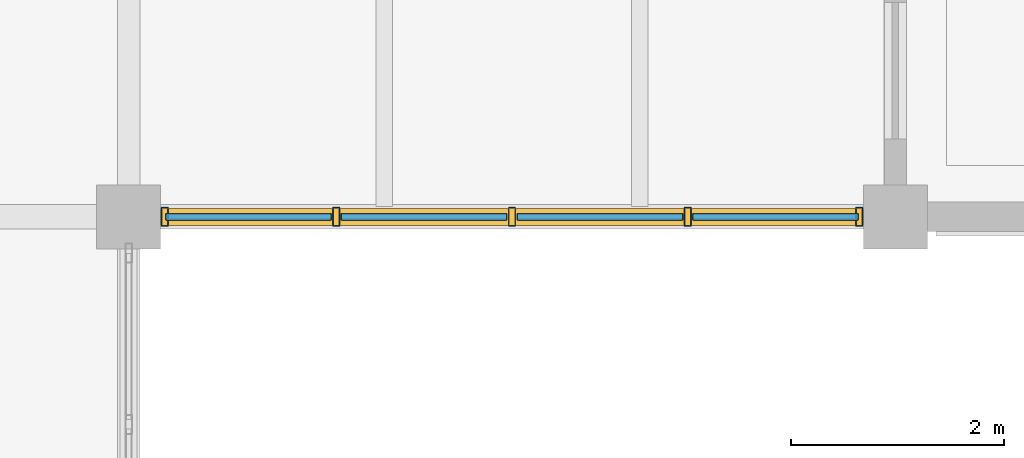
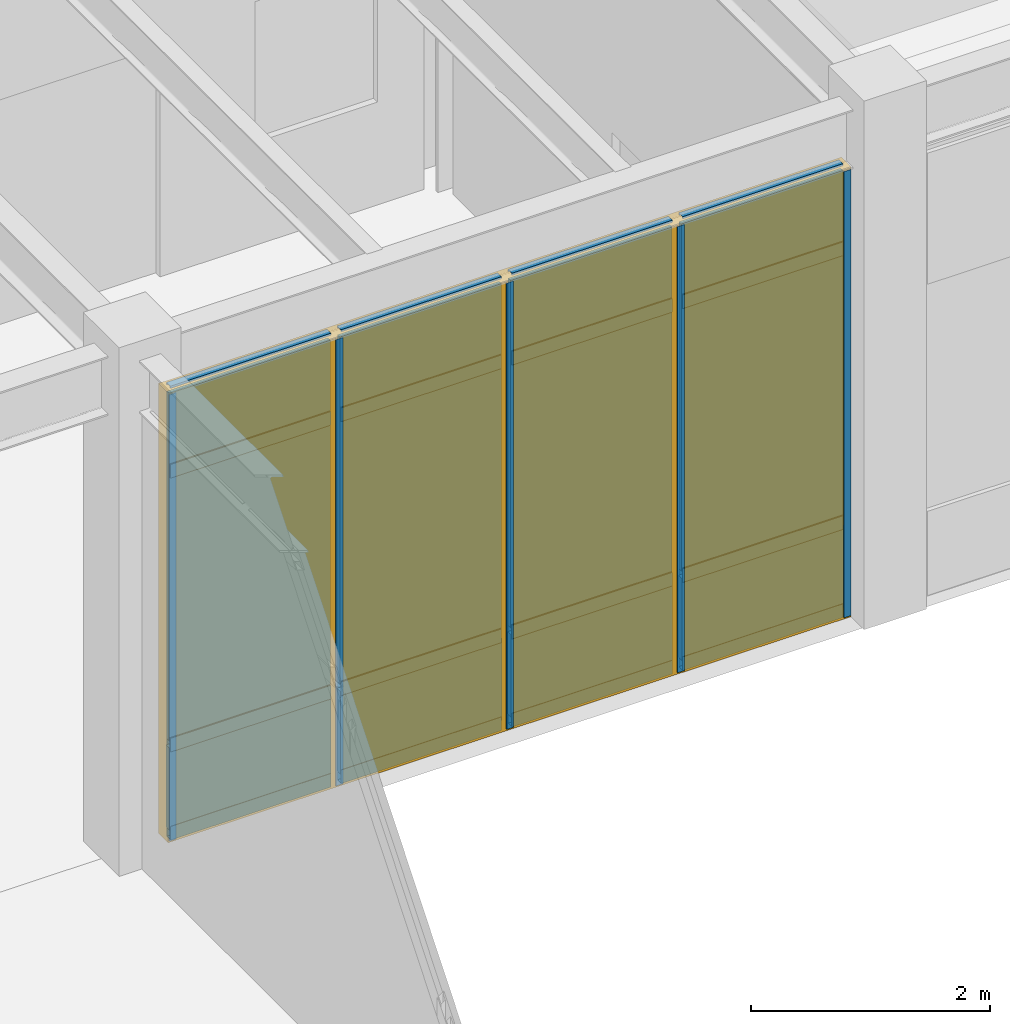
# One storey, part 65 of 97: 21 members, 8 plates, 1 curtain wall.
"""IFC4 building model written with IfcOpenShell, lengths in metres."""

import ifcopenshell
import ifcopenshell.guid

model = None  # the IFC model being written
_history = None  # IfcOwnerHistory: only IFC2X3 demands one
_inside = {}  # id of a spatial element -> (the spatial element, [elements in it])
_under = {}  # id of a project, library or spatial element -> (it, [spatial elements below it])
_declared = {}  # id of a project -> (the project, [libraries it declares])
_typed = {}  # id of a type object -> (the type object, [elements of that type])
_made_of = {}  # id of a material, layer set ... -> (it, [elements and type objects made of it])


def new_model(schema):
    """Start an empty IFC model of exactly this schema.

    Asked for "IFC4X3", IfcOpenShell would pick the latest addendum, in which some entities
    have other attributes; the version numbers below select the first issue.
    IFC2X3 requires an IfcOwnerHistory on every rooted entity: one is made here for all.
    """
    global model, _history
    if schema == "IFC4X3":
        model = ifcopenshell.file(schema_version=(4, 3, 0, 0))
    else:
        model = ifcopenshell.file(schema=schema)
    _inside.clear()
    _under.clear()
    _declared.clear()
    _typed.clear()
    _made_of.clear()
    _history = None
    if model.schema == "IFC2X3":
        org = make("IfcOrganization", Name="unknown")
        user = make(
            "IfcPersonAndOrganization",
            ThePerson=make("IfcPerson", FamilyName="unknown"),
            TheOrganization=org,
        )
        app = make(
            "IfcApplication",
            ApplicationDeveloper=org,
            Version="unknown",
            ApplicationFullName="unknown",
            ApplicationIdentifier="unknown",
        )
        _history = make(
            "IfcOwnerHistory",
            OwningUser=user,
            OwningApplication=app,
            ChangeAction="ADDED",
            CreationDate=0,
        )
    return model


def make(cls, **values):
    """One entity of the class cls with the attributes given. An attribute that is None is left unset."""
    return model.create_entity(
        cls, **{name: value for name, value in values.items() if value is not None}
    )


def rooted(cls, **values):
    """An entity with a GlobalId (a new one), such as an element, a storey or a relation."""
    return make(cls, GlobalId=ifcopenshell.guid.new(), OwnerHistory=_history, **values)


def si_unit(unit_type, name, prefix=None):
    """IfcSIUnit, for example si_unit("LENGTHUNIT", "METRE", prefix="MILLI")."""
    return make("IfcSIUnit", UnitType=unit_type, Prefix=prefix, Name=name)


def assignment(units):
    """IfcUnitAssignment: the units of a project."""
    return None if units is None else make("IfcUnitAssignment", Units=units)


def point(xyz):
    """IfcCartesianPoint."""
    return None if xyz is None else make("IfcCartesianPoint", Coordinates=xyz)


def direction(xyz):
    """IfcDirection."""
    return None if xyz is None else make("IfcDirection", DirectionRatios=xyz)


def frame(location, z_axis=None, x_axis=None):
    """IfcAxis2Placement3D, a coordinate frame: its origin and axes. An axis left out is left unset."""
    return make(
        "IfcAxis2Placement3D",
        Location=point(location),
        Axis=direction(z_axis),
        RefDirection=direction(x_axis),
    )


def frame_2d(location, x_axis=None):
    """IfcAxis2Placement2D, a coordinate frame in the plane: its origin and x axis."""
    return make(
        "IfcAxis2Placement2D", Location=point(location), RefDirection=direction(x_axis)
    )


def origin():
    """The frame at (0, 0, 0) with its axes left unset."""
    return frame((0.0, 0.0, 0.0))


def origin_2d():
    """The frame at (0, 0) in the plane with its x axis left unset."""
    return frame_2d((0.0, 0.0))


def place(relative_to, where):
    """IfcLocalPlacement: puts the frame where relative to a parent placement (None: the world)."""
    return make(
        "IfcLocalPlacement", PlacementRelTo=relative_to, RelativePlacement=where
    )


def context(
    kind, dimensions, precision=None, world=None, true_north=None, identifier=None
):
    """IfcGeometricRepresentationContext, for example the 3D "Model" context."""
    return make(
        "IfcGeometricRepresentationContext",
        ContextIdentifier=identifier,
        ContextType=kind,
        CoordinateSpaceDimension=dimensions,
        Precision=precision,
        WorldCoordinateSystem=world,
        TrueNorth=true_north,
    )


def subcontext(parent, identifier, kind, view, scale=None):
    """IfcGeometricRepresentationSubContext, for example "Body" below "Model"."""
    return make(
        "IfcGeometricRepresentationSubContext",
        ContextIdentifier=identifier,
        ContextType=kind,
        ParentContext=parent,
        TargetScale=scale,
        TargetView=view,
    )


def project(units=None, contexts=None):
    """IfcProject with its units and contexts."""
    return rooted(
        "IfcProject",
        Name="project",
        RepresentationContexts=contexts,
        UnitsInContext=assignment(units),
    )


def spatial(cls, under=None, at=None, **own):
    """A site, building, storey or space (cls), placed at a placement, below another one or the project."""
    s = rooted(cls, ObjectPlacement=at, **own)
    if under is not None:
        _under.setdefault(under.id(), (under, []))[1].append(s)
    return s


def profile(cls, at=None, kind="AREA", **sizes):
    """A parametric profile (cls). Its sizes go by their IFC names, for example OverallWidth=200.0."""
    return make(cls, ProfileType=kind, Position=at, **sizes)


def rectangle(**sizes):
    """IfcRectangleProfileDef."""
    return profile("IfcRectangleProfileDef", **sizes)


def hollow_rectangle(**sizes):
    """IfcRectangleHollowProfileDef."""
    return profile("IfcRectangleHollowProfileDef", **sizes)


def extrude(swept, where, along, depth):
    """IfcExtrudedAreaSolid: the profile swept, set in the frame where, extruded along a direction by depth."""
    return make(
        "IfcExtrudedAreaSolid",
        SweptArea=swept,
        Position=where,
        ExtrudedDirection=direction(along),
        Depth=depth,
    )


def shape(context_of_items, identifier, shape_type, items):
    """IfcShapeRepresentation: the items that make up one representation, for example the "Body"."""
    return make(
        "IfcShapeRepresentation",
        ContextOfItems=context_of_items,
        RepresentationIdentifier=identifier,
        RepresentationType=shape_type,
        Items=items,
    )


def material(Name=None, Category=None):
    """IfcMaterial."""
    return make("IfcMaterial", Name=Name, Category=Category)


def layer(
    of_material, thickness, ventilated=None, Name=None, Category=None, Priority=None
):
    """IfcMaterialLayer: one layer of a wall or slab, of a material (None: an air gap)."""
    return make(
        "IfcMaterialLayer",
        Material=of_material,
        LayerThickness=thickness,
        IsVentilated=ventilated,
        Name=Name,
        Category=Category,
        Priority=Priority,
    )


def layer_set(layers, Name=None):
    """IfcMaterialLayerSet."""
    return make("IfcMaterialLayerSet", MaterialLayers=layers, LayerSetName=Name)


def material_profile(
    of_material, cross_section, Name=None, Category=None, Priority=None
):
    """IfcMaterialProfile: a cross section and its material."""
    return make(
        "IfcMaterialProfile",
        Name=Name,
        Material=of_material,
        Profile=cross_section,
        Priority=Priority,
        Category=Category,
    )


def profile_set(profiles, Name=None, composite=None):
    """IfcMaterialProfileSet."""
    return make(
        "IfcMaterialProfileSet",
        Name=Name,
        MaterialProfiles=profiles,
        CompositeProfile=composite,
    )


def made_of(thing, what):
    """Note that an element or type object is made of a material, layer set ...; save() writes the relation."""
    if what is not None:
        _made_of.setdefault(what.id(), (what, []))[1].append(thing)
    return thing


def type_object(cls, material=None, **own):
    """A type object (cls), such as IfcWallType, which elements share."""
    return made_of(rooted(cls, **own), material)


def element(
    cls,
    number,
    at=None,
    inside=None,
    cuts=None,
    type_object=None,
    material=None,
    context=None,
    identifier="Body",
    shape_type=None,
    held_by="IfcProductDefinitionShape",
    body=None,
    shapes=None,
    **own,
):
    """One element of the class cls, such as IfcWall. Its Tag is "e" and its number.

    at: its placement. inside: the storey or other place that contains it. cuts: it is an
    opening in that element (IfcRelVoidsElement). A single representation is given by context,
    identifier, shape_type and body (its items); several are given by shapes. held_by: the class
    of the entity that holds the representations. save() writes the other relations.
    """
    e = rooted(cls, Tag="e%d" % number, ObjectPlacement=at, **own)
    if body is not None:
        shapes = [shape(context, identifier, shape_type, body)]
    if shapes is not None:
        e.Representation = make(held_by, Representations=shapes)
    if inside is not None:
        _inside.setdefault(inside.id(), (inside, []))[1].append(e)
    if cuts is not None:
        rooted(
            "IfcRelVoidsElement", RelatingBuildingElement=cuts, RelatedOpeningElement=e
        )
    if type_object is not None:
        _typed.setdefault(type_object.id(), (type_object, []))[1].append(e)
    return made_of(e, material)


def aggregate(whole, parts):
    """IfcRelAggregates: a whole, such as a stair, and the parts it consists of."""
    return rooted("IfcRelAggregates", RelatingObject=whole, RelatedObjects=parts)


def save(model, path):
    """Write the relations noted so far, then the file.

    IfcRelAggregates (storeys below a building ...), IfcRelContainedInSpatialStructure (elements
    in a storey), IfcRelDefinesByType, IfcRelAssociatesMaterial and IfcRelDeclares: one each for
    every whole, place, type object, material and project.
    """
    for whole, parts in _under.values():
        aggregate(whole, parts)
    for where, things in _inside.values():
        rooted(
            "IfcRelContainedInSpatialStructure",
            RelatedElements=things,
            RelatingStructure=where,
        )
    for kind, things in _typed.values():
        rooted("IfcRelDefinesByType", RelatedObjects=things, RelatingType=kind)
    for what, things in _made_of.values():
        rooted("IfcRelAssociatesMaterial", RelatedObjects=things, RelatingMaterial=what)
    for by, libraries in _declared.values():
        rooted("IfcRelDeclares", RelatingContext=by, RelatedDefinitions=libraries)
    model.write(path)


model = new_model("IFC4")

# Units and contexts
model_context = context("Model", 3, precision=1e-05, world=origin(), true_north=direction((0.0, 1.0)))
body_context = subcontext(model_context, "Body", "Model", "MODEL_VIEW")
ifc_project = project(units=[si_unit("LENGTHUNIT", "METRE"), si_unit("AREAUNIT", "SQUARE_METRE"), si_unit("VOLUMEUNIT", "CUBIC_METRE"), si_unit("PLANEANGLEUNIT", "RADIAN"), si_unit("MASSUNIT", "GRAM", prefix="KILO")], contexts=[model_context])

# Member
ifc_material_1 = material(Name="Anodized Aluminium 6063-T6", Category="aluminium")
ifc_material_profile_1 = material_profile(ifc_material_1, hollow_rectangle(XDim=0.06494140625, YDim=0.179931640625, WallThickness=0.00390625, at=origin_2d()), Name="ALU 65x180x4")
ifc_profile_set_1 = profile_set([ifc_material_profile_1], Name="Anodized Aluminium 6063-T6")
member_type_1 = type_object("IfcMemberType", Name="CWM-65X150", PredefinedType="MULLION", material=ifc_profile_set_1)
site_placement = place(None, origin())
building_placement = place(site_placement, origin())
storey_placement = place(building_placement, origin())
member_1_placement = place(storey_placement, frame((42.860107421875, 79.199951171875, 0.02001953125), z_axis=(0.0, 0.0, 1.0), x_axis=(1.0, 0.0, 0.0)))
member_1 = element("IfcMember", 1, at=member_1_placement, type_object=member_type_1, Name="Curtain wall mullion CW-L01-05-11-S-00", PredefinedType="MULLION", context=body_context, shape_type="SweptSolid", body=[
    extrude(hollow_rectangle(XDim=0.06494140625, YDim=0.179931640625, WallThickness=0.00390625, at=origin_2d()), origin(), (0.0, 0.0, 1.0), 4.557861328125),
])

member_2_placement = place(storey_placement, frame((41.25, 79.199951171875, 0.02001953125), z_axis=(0.0, 0.0, 1.0), x_axis=(1.0, 0.0, 0.0)))
member_2 = element("IfcMember", 2, at=member_2_placement, type_object=member_type_1, Name="Curtain wall mullion CW-L01-05-11-S-01", PredefinedType="MULLION", context=body_context, shape_type="SweptSolid", body=[
    extrude(hollow_rectangle(XDim=0.06494140625, YDim=0.179931640625, WallThickness=0.00390625, at=origin_2d()), origin(), (0.0, 0.0, 1.0), 4.557861328125),
])

member_3_placement = place(storey_placement, frame((39.60009765625, 79.199951171875, 0.02001953125), z_axis=(0.0, 0.0, 1.0), x_axis=(1.0, 0.0, 0.0)))
member_3 = element("IfcMember", 3, at=member_3_placement, type_object=member_type_1, Name="Curtain wall mullion CW-L01-05-11-S-02", PredefinedType="MULLION", context=body_context, shape_type="SweptSolid", body=[
    extrude(hollow_rectangle(XDim=0.06494140625, YDim=0.179931640625, WallThickness=0.00390625, at=origin_2d()), origin(), (0.0, 0.0, 1.0), 4.557861328125),
])

member_4_placement = place(storey_placement, frame((37.949951171875, 79.199951171875, 0.02001953125), z_axis=(0.0, 0.0, 1.0), x_axis=(1.0, 0.0, 0.0)))
member_4 = element("IfcMember", 4, at=member_4_placement, type_object=member_type_1, Name="Curtain wall mullion CW-L01-05-11-S-03", PredefinedType="MULLION", context=body_context, shape_type="SweptSolid", body=[
    extrude(hollow_rectangle(XDim=0.06494140625, YDim=0.179931640625, WallThickness=0.00390625, at=origin_2d()), origin(), (0.0, 0.0, 1.0), 4.557861328125),
])

member_5_placement = place(storey_placement, frame((36.340087890625, 79.199951171875, 0.02001953125), z_axis=(0.0, 0.0, 1.0), x_axis=(1.0, 0.0, 0.0)))
member_5 = element("IfcMember", 5, at=member_5_placement, type_object=member_type_1, Name="Curtain wall mullion CW-L01-05-11-S-04", PredefinedType="MULLION", context=body_context, shape_type="SweptSolid", body=[
    extrude(hollow_rectangle(XDim=0.06494140625, YDim=0.179931640625, WallThickness=0.00390625, at=origin_2d()), origin(), (0.0, 0.0, 1.0), 4.557861328125),
])

ifc_material_profile_2 = material_profile(ifc_material_1, hollow_rectangle(XDim=0.06494140625, YDim=0.139892578125, WallThickness=0.00390625, at=origin_2d()), Name="ALU 65x140x4")
ifc_profile_set_2 = profile_set([ifc_material_profile_2], Name="Anodized Aluminium 6063-T6")
member_type_2 = type_object("IfcMemberType", Name="CWT-65X120", PredefinedType="USERDEFINED", material=ifc_profile_set_2)
member_6_placement = place(storey_placement, frame((42.85009765625, 79.199951171875, 0.050048828125), z_axis=(-1.0, 0.0, 0.0), x_axis=(0.0, -1.0, 0.0)))
member_6 = element("IfcMember", 6, at=member_6_placement, type_object=member_type_2, Name="Curtain wall transom CW-L01-05-11-S-1.01", ObjectType="TRANSOM", PredefinedType="USERDEFINED", context=body_context, shape_type="SweptSolid", body=[
    extrude(hollow_rectangle(XDim=0.06494140625, YDim=0.139892578125, WallThickness=0.00390625, at=origin_2d()), origin(), (0.0, 0.0, 1.0), 1.550048828125),
])

member_7_placement = place(storey_placement, frame((41.199951171875, 79.199951171875, 0.050048828125), z_axis=(-1.0, 0.0, 0.0), x_axis=(0.0, -1.0, 0.0)))
member_7 = element("IfcMember", 7, at=member_7_placement, type_object=member_type_2, Name="Curtain wall transom CW-L01-05-11-S-1.02", ObjectType="TRANSOM", PredefinedType="USERDEFINED", context=body_context, shape_type="SweptSolid", body=[
    extrude(hollow_rectangle(XDim=0.06494140625, YDim=0.139892578125, WallThickness=0.00390625, at=origin_2d()), origin(), (0.0, 0.0, 1.0), 1.550048828125),
])

member_8_placement = place(storey_placement, frame((39.550048828125, 79.199951171875, 0.050048828125), z_axis=(-1.0, 0.0, 0.0), x_axis=(0.0, -1.0, 0.0)))
member_8 = element("IfcMember", 8, at=member_8_placement, type_object=member_type_2, Name="Curtain wall transom CW-L01-05-11-S-1.03", ObjectType="TRANSOM", PredefinedType="USERDEFINED", context=body_context, shape_type="SweptSolid", body=[
    extrude(hollow_rectangle(XDim=0.06494140625, YDim=0.139892578125, WallThickness=0.00390625, at=origin_2d()), origin(), (0.0, 0.0, 1.0), 1.550048828125),
])

member_9_placement = place(storey_placement, frame((37.89990234375, 79.199951171875, 0.050048828125), z_axis=(-1.0, 0.0, 0.0), x_axis=(0.0, -1.0, 0.0)))
member_9 = element("IfcMember", 9, at=member_9_placement, type_object=member_type_2, Name="Curtain wall transom CW-L01-05-11-S-1.04", ObjectType="TRANSOM", PredefinedType="USERDEFINED", context=body_context, shape_type="SweptSolid", body=[
    extrude(hollow_rectangle(XDim=0.06494140625, YDim=0.139892578125, WallThickness=0.00390625, at=origin_2d()), origin(), (0.0, 0.0, 1.0), 1.5498046875),
])

member_10_placement = place(storey_placement, frame((42.85009765625, 79.199951171875, 0.949951171875), z_axis=(-1.0, 0.0, 0.0), x_axis=(0.0, -1.0, 0.0)))
member_10 = element("IfcMember", 10, at=member_10_placement, type_object=member_type_2, Name="Curtain wall transom CW-L01-05-11-S-2.01", ObjectType="TRANSOM", PredefinedType="USERDEFINED", context=body_context, shape_type="SweptSolid", body=[
    extrude(hollow_rectangle(XDim=0.06494140625, YDim=0.139892578125, WallThickness=0.00390625, at=origin_2d()), origin(), (0.0, 0.0, 1.0), 1.550048828125),
])

member_11_placement = place(storey_placement, frame((41.199951171875, 79.199951171875, 0.949951171875), z_axis=(-1.0, 0.0, 0.0), x_axis=(0.0, -1.0, 0.0)))
member_11 = element("IfcMember", 11, at=member_11_placement, type_object=member_type_2, Name="Curtain wall transom CW-L01-05-11-S-2.02", ObjectType="TRANSOM", PredefinedType="USERDEFINED", context=body_context, shape_type="SweptSolid", body=[
    extrude(hollow_rectangle(XDim=0.06494140625, YDim=0.139892578125, WallThickness=0.00390625, at=origin_2d()), origin(), (0.0, 0.0, 1.0), 1.550048828125),
])

member_12_placement = place(storey_placement, frame((39.550048828125, 79.199951171875, 0.949951171875), z_axis=(-1.0, 0.0, 0.0), x_axis=(0.0, -1.0, 0.0)))
member_12 = element("IfcMember", 12, at=member_12_placement, type_object=member_type_2, Name="Curtain wall transom CW-L01-05-11-S-2.03", ObjectType="TRANSOM", PredefinedType="USERDEFINED", context=body_context, shape_type="SweptSolid", body=[
    extrude(hollow_rectangle(XDim=0.06494140625, YDim=0.139892578125, WallThickness=0.00390625, at=origin_2d()), origin(), (0.0, 0.0, 1.0), 1.550048828125),
])

member_13_placement = place(storey_placement, frame((37.89990234375, 79.199951171875, 0.949951171875), z_axis=(-1.0, 0.0, 0.0), x_axis=(0.0, -1.0, 0.0)))
member_13 = element("IfcMember", 13, at=member_13_placement, type_object=member_type_2, Name="Curtain wall transom CW-L01-05-11-S-2.04", ObjectType="TRANSOM", PredefinedType="USERDEFINED", context=body_context, shape_type="SweptSolid", body=[
    extrude(hollow_rectangle(XDim=0.06494140625, YDim=0.139892578125, WallThickness=0.00390625, at=origin_2d()), origin(), (0.0, 0.0, 1.0), 1.5498046875),
])

member_14_placement = place(storey_placement, frame((42.85009765625, 79.199951171875, 3.748046875), z_axis=(-1.0, 0.0, 0.0), x_axis=(0.0, -1.0, 0.0)))
member_14 = element("IfcMember", 14, at=member_14_placement, type_object=member_type_2, Name="Curtain wall transom CW-L01-05-11-S-3.01", ObjectType="TRANSOM", PredefinedType="USERDEFINED", context=body_context, shape_type="SweptSolid", body=[
    extrude(hollow_rectangle(XDim=0.06494140625, YDim=0.139892578125, WallThickness=0.00390625, at=origin_2d()), origin(), (0.0, 0.0, 1.0), 1.550048828125),
])

member_15_placement = place(storey_placement, frame((41.199951171875, 79.199951171875, 3.748046875), z_axis=(-1.0, 0.0, 0.0), x_axis=(0.0, -1.0, 0.0)))
member_15 = element("IfcMember", 15, at=member_15_placement, type_object=member_type_2, Name="Curtain wall transom CW-L01-05-11-S-3.02", ObjectType="TRANSOM", PredefinedType="USERDEFINED", context=body_context, shape_type="SweptSolid", body=[
    extrude(hollow_rectangle(XDim=0.06494140625, YDim=0.139892578125, WallThickness=0.00390625, at=origin_2d()), origin(), (0.0, 0.0, 1.0), 1.550048828125),
])

member_16_placement = place(storey_placement, frame((39.550048828125, 79.199951171875, 3.748046875), z_axis=(-1.0, 0.0, 0.0), x_axis=(0.0, -1.0, 0.0)))
member_16 = element("IfcMember", 16, at=member_16_placement, type_object=member_type_2, Name="Curtain wall transom CW-L01-05-11-S-3.03", ObjectType="TRANSOM", PredefinedType="USERDEFINED", context=body_context, shape_type="SweptSolid", body=[
    extrude(hollow_rectangle(XDim=0.06494140625, YDim=0.139892578125, WallThickness=0.00390625, at=origin_2d()), origin(), (0.0, 0.0, 1.0), 1.550048828125),
])

member_17_placement = place(storey_placement, frame((37.89990234375, 79.199951171875, 3.748046875), z_axis=(-1.0, 0.0, 0.0), x_axis=(0.0, -1.0, 0.0)))
member_17 = element("IfcMember", 17, at=member_17_placement, type_object=member_type_2, Name="Curtain wall transom CW-L01-05-11-S-3.04", ObjectType="TRANSOM", PredefinedType="USERDEFINED", context=body_context, shape_type="SweptSolid", body=[
    extrude(hollow_rectangle(XDim=0.06494140625, YDim=0.139892578125, WallThickness=0.00390625, at=origin_2d()), origin(), (0.0, 0.0, 1.0), 1.5498046875),
])

member_18_placement = place(storey_placement, frame((42.85009765625, 79.199951171875, 4.548095703125), z_axis=(-1.0, 0.0, 0.0), x_axis=(0.0, -1.0, 0.0)))
member_18 = element("IfcMember", 18, at=member_18_placement, type_object=member_type_2, Name="Curtain wall transom CW-L01-05-11-S-4.01", ObjectType="TRANSOM", PredefinedType="USERDEFINED", context=body_context, shape_type="SweptSolid", body=[
    extrude(hollow_rectangle(XDim=0.06494140625, YDim=0.139892578125, WallThickness=0.00390625, at=origin_2d()), origin(), (0.0, 0.0, 1.0), 1.550048828125),
])

member_19_placement = place(storey_placement, frame((41.199951171875, 79.199951171875, 4.548095703125), z_axis=(-1.0, 0.0, 0.0), x_axis=(0.0, -1.0, 0.0)))
member_19 = element("IfcMember", 19, at=member_19_placement, type_object=member_type_2, Name="Curtain wall transom CW-L01-05-11-S-4.02", ObjectType="TRANSOM", PredefinedType="USERDEFINED", context=body_context, shape_type="SweptSolid", body=[
    extrude(hollow_rectangle(XDim=0.06494140625, YDim=0.139892578125, WallThickness=0.00390625, at=origin_2d()), origin(), (0.0, 0.0, 1.0), 1.550048828125),
])

member_20_placement = place(storey_placement, frame((39.550048828125, 79.199951171875, 4.548095703125), z_axis=(-1.0, 0.0, 0.0), x_axis=(0.0, -1.0, 0.0)))
member_20 = element("IfcMember", 20, at=member_20_placement, type_object=member_type_2, Name="Curtain wall transom CW-L01-05-11-S-4.03", ObjectType="TRANSOM", PredefinedType="USERDEFINED", context=body_context, shape_type="SweptSolid", body=[
    extrude(hollow_rectangle(XDim=0.06494140625, YDim=0.139892578125, WallThickness=0.00390625, at=origin_2d()), origin(), (0.0, 0.0, 1.0), 1.550048828125),
])

member_21_placement = place(storey_placement, frame((37.89990234375, 79.199951171875, 4.548095703125), z_axis=(-1.0, 0.0, 0.0), x_axis=(0.0, -1.0, 0.0)))
member_21 = element("IfcMember", 21, at=member_21_placement, type_object=member_type_2, Name="Curtain wall transom CW-L01-05-11-S-4.04", ObjectType="TRANSOM", PredefinedType="USERDEFINED", context=body_context, shape_type="SweptSolid", body=[
    extrude(hollow_rectangle(XDim=0.06494140625, YDim=0.139892578125, WallThickness=0.00390625, at=origin_2d()), origin(), (0.0, 0.0, 1.0), 1.5498046875),
])

# Plate
ifc_material_2 = material(Name="Double Low-E Insulated Glazing Unit", Category="glass")
ifc_layer_1 = layer(ifc_material_2, 0.0380859375)
ifc_layer_set_1 = layer_set([ifc_layer_1], Name="Double Low-E Insulated Glazing Unit")
plate_type_1 = type_object("IfcPlateType", Name="CWP-IGU-38", PredefinedType="CURTAIN_PANEL", material=ifc_layer_set_1)
plate_1_placement = place(storey_placement, frame((42.074951171875, 79.199951171875, 0.98974609375), z_axis=(0.0, 0.0, 1.0), x_axis=(-1.0, 0.0, 0.0)))
plate_1 = element("IfcPlate", 22, at=plate_1_placement, type_object=plate_type_1, Name="Curtain wall vision glazing CW-L01-05-11-S-01", PredefinedType="CURTAIN_PANEL", context=body_context, shape_type="SweptSolid", body=[
    extrude(rectangle(XDim=1.56005859375, YDim=0.0400390625, at=origin_2d()), origin(), (0.0, 0.0, 1.0), 3.548095703125),
])

plate_2_placement = place(storey_placement, frame((40.425048828125, 79.199951171875, 0.98974609375), z_axis=(0.0, 0.0, 1.0), x_axis=(-1.0, 0.0, 0.0)))
plate_2 = element("IfcPlate", 23, at=plate_2_placement, type_object=plate_type_1, Name="Curtain wall vision glazing CW-L01-05-11-S-02", PredefinedType="CURTAIN_PANEL", context=body_context, shape_type="SweptSolid", body=[
    extrude(rectangle(XDim=1.56005859375, YDim=0.0400390625, at=origin_2d()), origin(), (0.0, 0.0, 1.0), 3.548095703125),
])

plate_3_placement = place(storey_placement, frame((38.77490234375, 79.199951171875, 0.98974609375), z_axis=(0.0, 0.0, 1.0), x_axis=(-1.0, 0.0, 0.0)))
plate_3 = element("IfcPlate", 24, at=plate_3_placement, type_object=plate_type_1, Name="Curtain wall vision glazing CW-L01-05-11-S-03", PredefinedType="CURTAIN_PANEL", context=body_context, shape_type="SweptSolid", body=[
    extrude(rectangle(XDim=1.56005859375, YDim=0.0400390625, at=origin_2d()), origin(), (0.0, 0.0, 1.0), 3.548095703125),
])

plate_4_placement = place(storey_placement, frame((37.125, 79.199951171875, 0.98974609375), z_axis=(0.0, 0.0, 1.0), x_axis=(-1.0, 0.0, 0.0)))
plate_4 = element("IfcPlate", 25, at=plate_4_placement, type_object=plate_type_1, Name="Curtain wall vision glazing CW-L01-05-11-S-04", PredefinedType="CURTAIN_PANEL", context=body_context, shape_type="SweptSolid", body=[
    extrude(rectangle(XDim=1.56005859375, YDim=0.0400390625, at=origin_2d()), origin(), (0.0, 0.0, 1.0), 3.548095703125),
])

ifc_material_3 = material(Name="Insulated Bronze Aluminium Spandrel", Category="aluminium")
ifc_layer_2 = layer(ifc_material_3, 0.06005859375)
ifc_layer_set_2 = layer_set([ifc_layer_2], Name="Insulated Bronze Aluminium Spandrel")
plate_type_2 = type_object("IfcPlateType", Name="CWP-SPN-60", PredefinedType="CURTAIN_PANEL", material=ifc_layer_set_2)
plate_5_placement = place(storey_placement, frame((42.074951171875, 79.199951171875, 0.080078125), z_axis=(0.0, 0.0, 1.0), x_axis=(-1.0, 0.0, 0.0)))
plate_5 = element("IfcPlate", 26, at=plate_5_placement, type_object=plate_type_2, Name="Curtain wall spandrel panel CW-L01-05-11-S-01", PredefinedType="CURTAIN_PANEL", context=body_context, shape_type="SweptSolid", body=[
    extrude(rectangle(XDim=1.56005859375, YDim=0.06005859375, at=origin_2d()), origin(), (0.0, 0.0, 1.0), 0.840087890625),
])

plate_6_placement = place(storey_placement, frame((40.425048828125, 79.199951171875, 0.080078125), z_axis=(0.0, 0.0, 1.0), x_axis=(-1.0, 0.0, 0.0)))
plate_6 = element("IfcPlate", 27, at=plate_6_placement, type_object=plate_type_2, Name="Curtain wall spandrel panel CW-L01-05-11-S-02", PredefinedType="CURTAIN_PANEL", context=body_context, shape_type="SweptSolid", body=[
    extrude(rectangle(XDim=1.56005859375, YDim=0.06005859375, at=origin_2d()), origin(), (0.0, 0.0, 1.0), 0.840087890625),
])

plate_7_placement = place(storey_placement, frame((38.77490234375, 79.199951171875, 0.080078125), z_axis=(0.0, 0.0, 1.0), x_axis=(-1.0, 0.0, 0.0)))
plate_7 = element("IfcPlate", 28, at=plate_7_placement, type_object=plate_type_2, Name="Curtain wall spandrel panel CW-L01-05-11-S-03", PredefinedType="CURTAIN_PANEL", context=body_context, shape_type="SweptSolid", body=[
    extrude(rectangle(XDim=1.56005859375, YDim=0.06005859375, at=origin_2d()), origin(), (0.0, 0.0, 1.0), 0.840087890625),
])

plate_8_placement = place(storey_placement, frame((37.125, 79.199951171875, 0.080078125), z_axis=(0.0, 0.0, 1.0), x_axis=(-1.0, 0.0, 0.0)))
plate_8 = element("IfcPlate", 29, at=plate_8_placement, type_object=plate_type_2, Name="Curtain wall spandrel panel CW-L01-05-11-S-04", PredefinedType="CURTAIN_PANEL", context=body_context, shape_type="SweptSolid", body=[
    extrude(rectangle(XDim=1.56005859375, YDim=0.06005859375, at=origin_2d()), origin(), (0.0, 0.0, 1.0), 0.840087890625),
])

# Site, building, storey
site = spatial("IfcSite", under=ifc_project, at=site_placement, CompositionType="ELEMENT")
building = spatial("IfcBuilding", under=site, at=building_placement, Name="Sillqori Civic Hall", CompositionType="ELEMENT")
storey = spatial("IfcBuildingStorey", under=building, at=storey_placement, Name="L01", CompositionType="ELEMENT", Elevation=0.0)

# Curtain wall
ifc_material_4 = material(Name="Anodized Aluminium Curtain Wall System", Category="aluminium")
curtain_wall_type = type_object("IfcCurtainWallType", Name="CW-SF-540", PredefinedType="NOTDEFINED", material=ifc_material_4)
curtain_wall_placement = place(storey_placement, frame((39.60009765625, 79.199951171875, 0.0), z_axis=(0.0, 0.0, 1.0), x_axis=(-1.0, 0.0, 0.0)))
curtain_wall = element("IfcCurtainWall", 30, at=curtain_wall_placement, inside=storey, type_object=curtain_wall_type, Name="L01 unitised curtain wall CW-L01-05-11-S", PredefinedType="NOTDEFINED", context=body_context, shape_type="SweptSolid", body=[
    extrude(rectangle(XDim=6.60009765625, YDim=0.159912109375, at=origin_2d()), origin(), (0.0, 0.0, 1.0), 4.597900390625),
])

aggregate(curtain_wall, [member_1, member_2, member_3, member_4, member_5, member_6, member_7, member_8, member_9, member_10, member_11, member_12, member_13, member_14, member_15, member_16, member_17, member_18, member_19, member_20, member_21, plate_5, plate_1, plate_6, plate_2, plate_7, plate_3, plate_8, plate_4])

save(model, "model.ifc")
